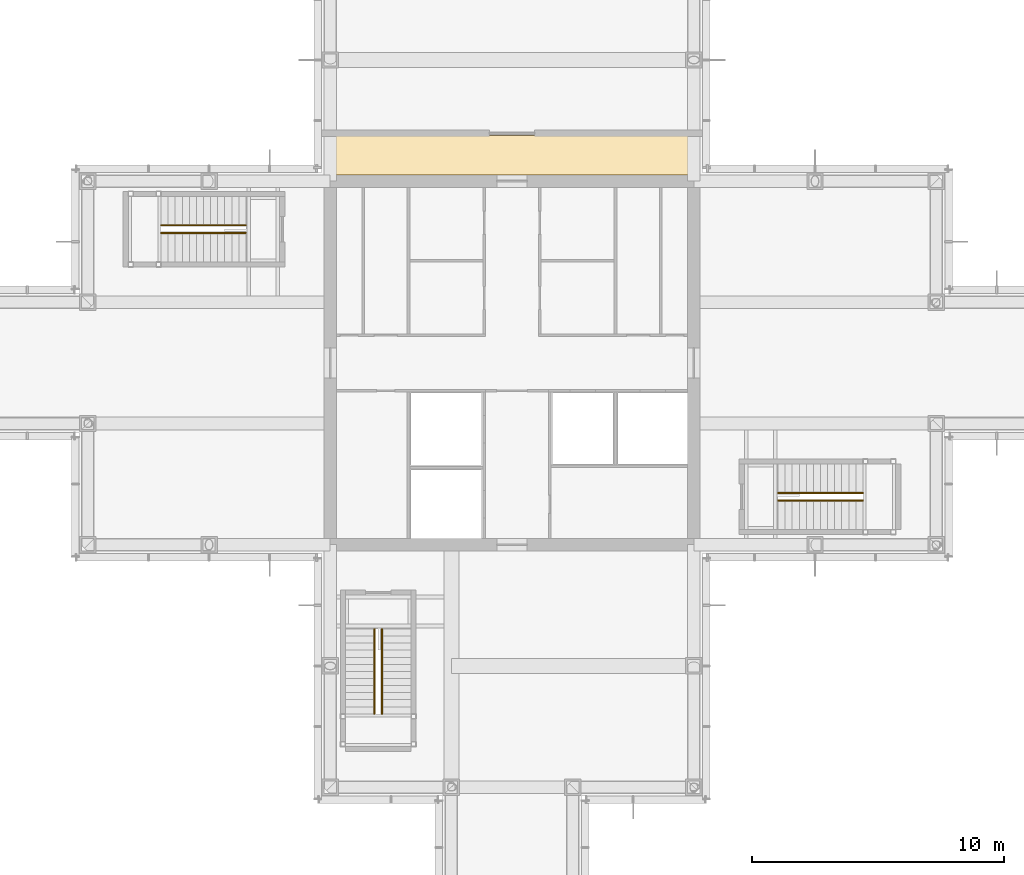
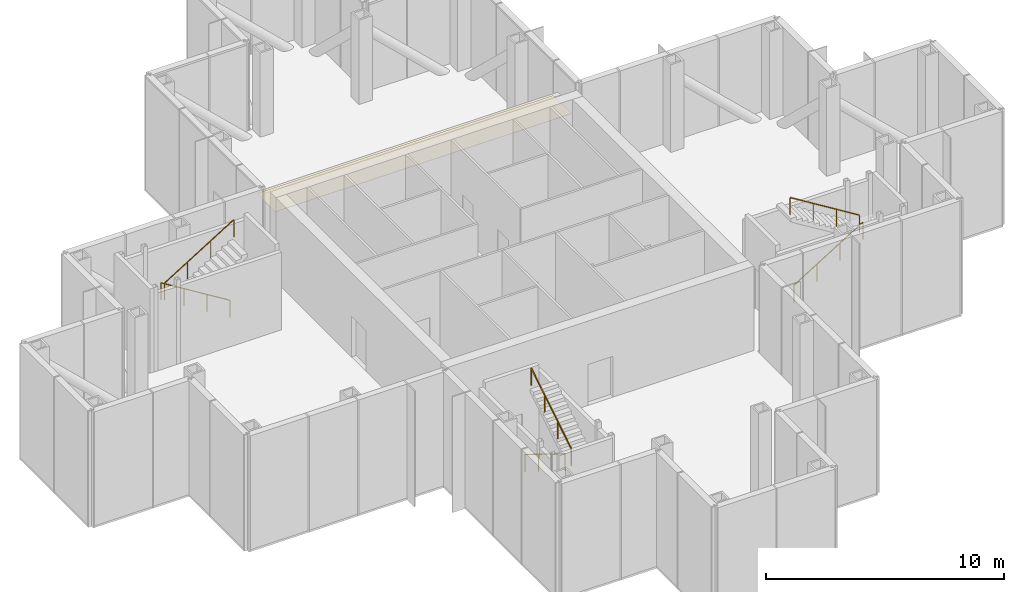
# One storey, part 13 of 13: 6 railings, 1 covering.
"""IFC4 building model written with IfcOpenShell, lengths in metres."""

from ifc_helpers import new_model, si_unit, direction, frame, origin, origin_2d, place, context, subcontext, project, spatial, polyline, circle, outline, extrude, material, layer, layer_set, type_object, element, save


model = new_model("IFC4")

# Units and contexts
model_context = context("Model", 3, precision=1e-05, world=origin(), true_north=direction((0.0, 1.0)))
body_context = subcontext(model_context, "Body", "Model", "MODEL_VIEW")
ifc_project = project(units=[si_unit("LENGTHUNIT", "METRE"), si_unit("AREAUNIT", "SQUARE_METRE"), si_unit("VOLUMEUNIT", "CUBIC_METRE"), si_unit("PLANEANGLEUNIT", "RADIAN"), si_unit("MASSUNIT", "GRAM", prefix="KILO")], contexts=[model_context])

# Site, building, storey
site_placement = place(None, origin())
site = spatial("IfcSite", under=ifc_project, at=site_placement, CompositionType="ELEMENT")
building_placement = place(site_placement, origin())
building = spatial("IfcBuilding", under=site, at=building_placement, Name="Kvirike Care Tower", CompositionType="ELEMENT")
storey_placement = place(building_placement, frame((0.0, 0.0, 190.0)))
storey = spatial("IfcBuildingStorey", under=building, at=storey_placement, Name="L52", CompositionType="ELEMENT", Elevation=190.0)

# Covering
ifc_material_1 = material(Name="Perforated metal ceiling tile", Category="aluminium")
ifc_layer = layer(ifc_material_1, 0.014892578125)
ifc_layer_set = layer_set([ifc_layer], Name="CORRIDOR CEILING 15")
covering_type = type_object("IfcCoveringType", Name="CORRIDOR CEILING 15", PredefinedType="CEILING", material=ifc_layer_set)
covering_placement = place(storey_placement, frame((0.0, 0.0, 3.199951171875)))
element("IfcCovering", 1, at=covering_placement, inside=storey, type_object=covering_type, Name="Corridor ceiling L52", PredefinedType="CEILING", context=body_context, shape_type="SweptSolid", body=[
    extrude(outline(polyline([(28.800048828125, 45.0), (28.800048828125, 43.449951171875), (14.39990234375, 43.449951171875), (14.39990234375, 45.0), (28.800048828125, 45.0)])), origin(), (0.0, 0.0, 1.0), 0.01513671875),
])

# Railings
ifc_material_2 = material(Name="Stainless steel handrail", Category="steel")
railing_type = type_object("IfcRailingType", Name="STAIR HANDRAIL 900", PredefinedType="HANDRAIL", material=ifc_material_2)
railing_1_placement = place(storey_placement, frame((11.06005859375, 41.449951171875, 0.173095703125)))
element("IfcRailing", 2, at=railing_1_placement, inside=storey, type_object=railing_type, Name="Stair 1 handrail L52 flight 1", PredefinedType="HANDRAIL", context=body_context, shape_type="SweptSolid", body=[
    extrude(circle(Radius=0.02490234375, at=origin_2d()), frame((0.0, 0.0, 0.875), z_axis=(-0.850623216509, 0.0, 0.525775754039), x_axis=(0.0, -1.0, 0.0)), (0.0, 0.0, 1.0), 3.9501953125),
    extrude(circle(Radius=0.02001953125, at=origin_2d()), origin(), (0.0, 0.0, 1.0), 0.849853515625),
    extrude(circle(Radius=0.02001953125, at=origin_2d()), frame((-1.1201171875, 0.0, 0.6923828125)), (0.0, 0.0, 1.0), 0.849853515625),
    extrude(circle(Radius=0.02001953125, at=origin_2d()), frame((-2.239990234375, 0.0, 1.384521484375)), (0.0, 0.0, 1.0), 0.849853515625),
    extrude(circle(Radius=0.02001953125, at=origin_2d()), frame((-3.360107421875, 0.0, 2.076904296875)), (0.0, 0.0, 1.0), 0.849853515625),
])
for number, where, name in (
    (3, (7.699951171875, 41.14990234375, 2.423095703125), "Stair 1 handrail L52 flight 2"),
    (4, (32.139892578125, 30.550048828125, 0.173095703125), "Stair 2 handrail L52 flight 1"),
):
    element("IfcRailing", number, at=place(storey_placement, frame(where)), inside=storey, type_object=railing_type, Name=name, PredefinedType="HANDRAIL", context=body_context, shape_type="SweptSolid", body=[
        extrude(circle(Radius=0.02490234375, at=origin_2d()), frame((0.0, 0.0, 0.875), z_axis=(0.850623216509, 0.0, 0.525775754039), x_axis=(0.0, 1.0, 0.0)), (0.0, 0.0, 1.0), 3.9501953125),
        extrude(circle(Radius=0.02001953125, at=origin_2d()), origin(), (0.0, 0.0, 1.0), 0.849853515625),
        extrude(circle(Radius=0.02001953125, at=origin_2d()), frame((1.1201171875, 0.0, 0.6923828125)), (0.0, 0.0, 1.0), 0.849853515625),
        extrude(circle(Radius=0.02001953125, at=origin_2d()), frame((2.239990234375, 0.0, 1.384521484375)), (0.0, 0.0, 1.0), 0.849853515625),
        extrude(circle(Radius=0.02001953125, at=origin_2d()), frame((3.360107421875, 0.0, 2.076904296875)), (0.0, 0.0, 1.0), 0.849853515625),
    ])
railing_2_placement = place(storey_placement, frame((35.5, 30.85009765625, 2.423095703125)))
element("IfcRailing", 5, at=railing_2_placement, inside=storey, type_object=railing_type, Name="Stair 2 handrail L52 flight 2", PredefinedType="HANDRAIL", context=body_context, shape_type="SweptSolid", body=[
    extrude(circle(Radius=0.02490234375, at=origin_2d()), frame((0.0, 0.0, 0.875), z_axis=(-0.850623216509, 0.0, 0.525775754039), x_axis=(0.0, -1.0, 0.0)), (0.0, 0.0, 1.0), 3.9501953125),
    extrude(circle(Radius=0.02001953125, at=origin_2d()), origin(), (0.0, 0.0, 1.0), 0.849853515625),
    extrude(circle(Radius=0.02001953125, at=origin_2d()), frame((-1.1201171875, 0.0, 0.6923828125)), (0.0, 0.0, 1.0), 0.849853515625),
    extrude(circle(Radius=0.02001953125, at=origin_2d()), frame((-2.239990234375, 0.0, 1.384521484375)), (0.0, 0.0, 1.0), 0.849853515625),
    extrude(circle(Radius=0.02001953125, at=origin_2d()), frame((-3.360107421875, 0.0, 2.076904296875)), (0.0, 0.0, 1.0), 0.849853515625),
])
railing_3_placement = place(storey_placement, frame((16.14990234375, 25.4599609375, 0.173095703125)))
element("IfcRailing", 6, at=railing_3_placement, inside=storey, type_object=railing_type, Name="Stair 5 handrail L52 flight 1", PredefinedType="HANDRAIL", context=body_context, shape_type="SweptSolid", body=[
    extrude(circle(Radius=0.02490234375, at=origin_2d()), frame((0.0, 0.0, 0.875), z_axis=(0.0, -0.850606129759, 0.525803396734), x_axis=(1.0, 0.0, 0.0)), (0.0, 0.0, 1.0), 3.949951171875),
    extrude(circle(Radius=0.02001953125, at=origin_2d()), origin(), (0.0, 0.0, 1.0), 0.849853515625),
    extrude(circle(Radius=0.02001953125, at=origin_2d()), frame((0.0, -1.119873046875, 0.6923828125)), (0.0, 0.0, 1.0), 0.849853515625),
    extrude(circle(Radius=0.02001953125, at=origin_2d()), frame((0.0, -2.239990234375, 1.384521484375)), (0.0, 0.0, 1.0), 0.849853515625),
    extrude(circle(Radius=0.02001953125, at=origin_2d()), frame((0.0, -3.35986328125, 2.076904296875)), (0.0, 0.0, 1.0), 0.849853515625),
])
railing_4_placement = place(storey_placement, frame((16.449951171875, 22.10009765625, 2.423095703125)))
element("IfcRailing", 7, at=railing_4_placement, inside=storey, type_object=railing_type, Name="Stair 5 handrail L52 flight 2", PredefinedType="HANDRAIL", context=body_context, shape_type="SweptSolid", body=[
    extrude(circle(Radius=0.02490234375, at=origin_2d()), frame((0.0, 0.0, 0.875), z_axis=(0.0, 0.850606129759, 0.525803396734), x_axis=(-1.0, 0.0, 0.0)), (0.0, 0.0, 1.0), 3.949951171875),
    extrude(circle(Radius=0.02001953125, at=origin_2d()), origin(), (0.0, 0.0, 1.0), 0.849853515625),
    extrude(circle(Radius=0.02001953125, at=origin_2d()), frame((0.0, 1.119873046875, 0.6923828125)), (0.0, 0.0, 1.0), 0.849853515625),
    extrude(circle(Radius=0.02001953125, at=origin_2d()), frame((0.0, 2.239990234375, 1.384521484375)), (0.0, 0.0, 1.0), 0.849853515625),
    extrude(circle(Radius=0.02001953125, at=origin_2d()), frame((0.0, 3.35986328125, 2.076904296875)), (0.0, 0.0, 1.0), 0.849853515625),
])

save(model, "model.ifc")
